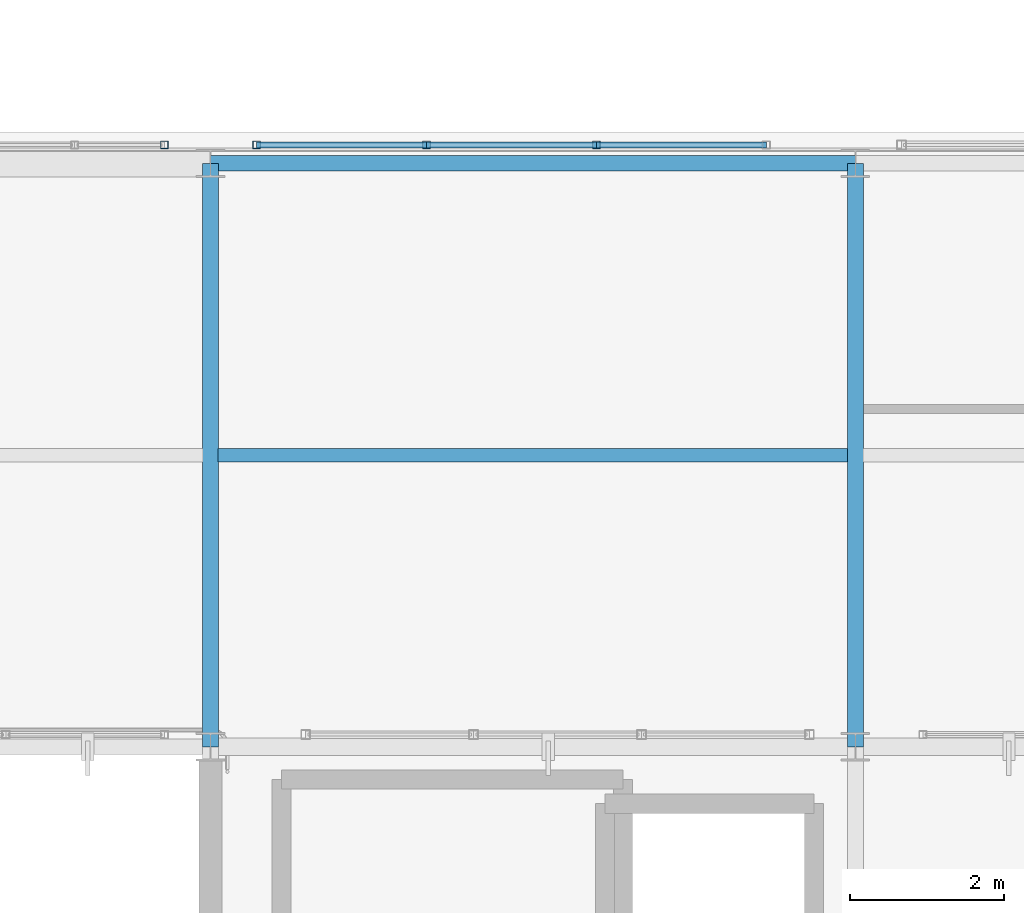
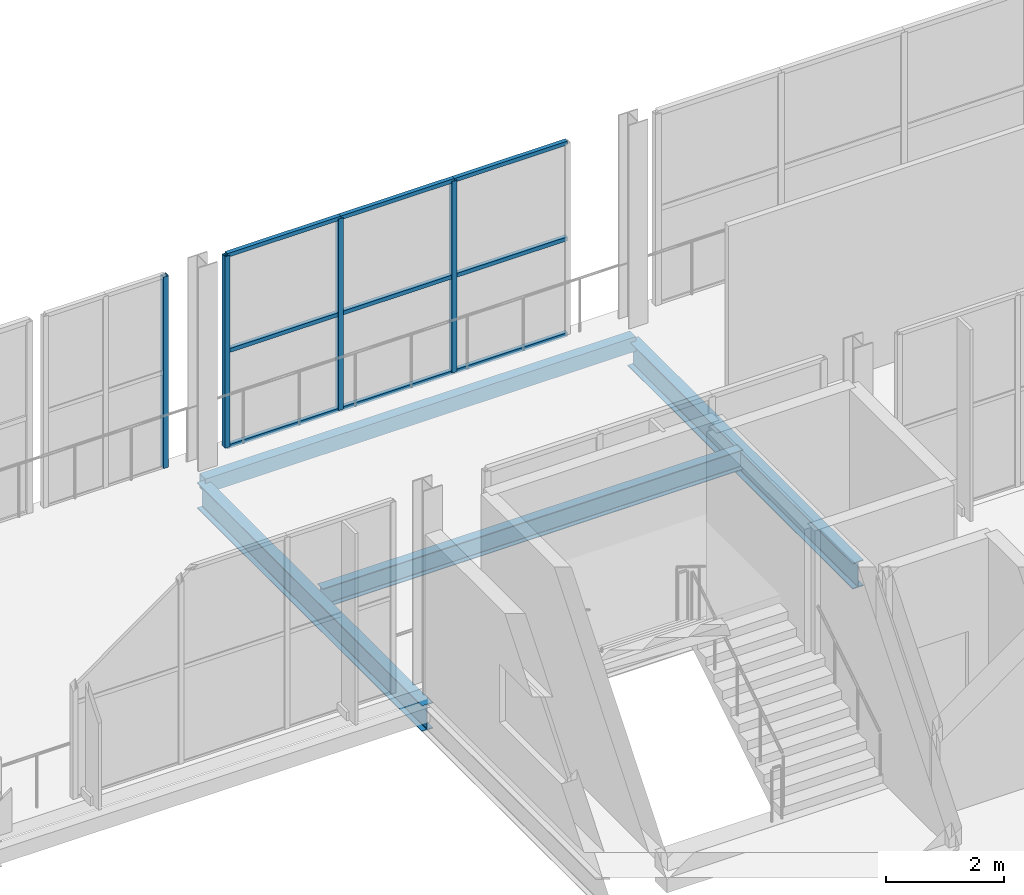
# One storey, part 30 of 217: 13 members, 4 beams, 2 elements without a shape of their own.
"""IFC4 building model written with IfcOpenShell, lengths in metres."""

from ifc_helpers import new_model, si_unit, direction, frame, origin, origin_2d, place, context, subcontext, project, spatial, hollow_rectangle, i_section, extrude, material, material_profile, profile_set, type_object, element, aggregate, save


model = new_model("IFC4")

# Units and contexts
model_context = context("Model", 3, precision=1e-05, world=origin(), true_north=direction((0.0, 1.0)))
body_context = subcontext(model_context, "Body", "Model", "MODEL_VIEW")
ifc_project = project(units=[si_unit("LENGTHUNIT", "METRE"), si_unit("AREAUNIT", "SQUARE_METRE"), si_unit("VOLUMEUNIT", "CUBIC_METRE"), si_unit("PLANEANGLEUNIT", "RADIAN"), si_unit("MASSUNIT", "GRAM", prefix="KILO")], contexts=[model_context])

# Site, building, storey
site_placement = place(None, origin())
site = spatial("IfcSite", under=ifc_project, at=site_placement, CompositionType="ELEMENT")
building_placement = place(site_placement, origin())
building = spatial("IfcBuilding", under=site, at=building_placement, Name="Zuvorla Pavilion Media Centre", CompositionType="ELEMENT")
storey_placement = place(building_placement, frame((0.0, 0.0, 9.60009765625)))
storey = spatial("IfcBuildingStorey", under=building, at=storey_placement, Name="L02", CompositionType="ELEMENT", Elevation=9.60009765625)

# Beams
ifc_material_1 = material(Name="Steel S355", Category="steel")
ifc_material_profile_1 = material_profile(ifc_material_1, hollow_rectangle(XDim=0.199951171875, YDim=0.300048828125, WallThickness=0.012451171875, at=origin_2d()), Name="RHS 300x200x12.5")
ifc_profile_set_1 = profile_set([ifc_material_profile_1], Name="Steel S355")
beam_type_1 = type_object("IfcBeamType", Name="BM-SP-RHS300", PredefinedType="SPANDREL", material=ifc_profile_set_1)
beam_1_placement = place(storey_placement, frame((41.60009765625, 51.60009765625, -0.418212890625), z_axis=(1.0, 0.0, 0.0), x_axis=(0.0, 1.0, 0.0)))
element("IfcBeam", 1, at=beam_1_placement, inside=storey, type_object=beam_type_1, Name="L02 spandrel SP01 838", PredefinedType="SPANDREL", context=body_context, shape_type="SweptSolid", body=[
    extrude(hollow_rectangle(XDim=0.199951171875, YDim=0.300048828125, WallThickness=0.012451171875, at=origin_2d()), origin(), (0.0, 0.0, 1.0), 8.39990234375),
])
ifc_material_profile_2 = material_profile(ifc_material_1, i_section(OverallWidth=0.1787109375, OverallDepth=0.409423828125, WebThickness=0.0087890625, FlangeThickness=0.014404296875, FilletRadius=0.01025390625, at=origin_2d()), Name="UB 406x178x67")
ifc_profile_set_2 = profile_set([ifc_material_profile_2], Name="Steel S355")
beam_type_2 = type_object("IfcBeamType", Name="BM-UB406", PredefinedType="JOIST", material=ifc_profile_set_2)
beam_2_placement = place(storey_placement, frame((41.699951171875, 47.800048828125, -0.472900390625), z_axis=(1.0, 0.0, 0.0), x_axis=(0.0, 1.0, 0.0)))
element("IfcBeam", 2, at=beam_2_placement, inside=storey, type_object=beam_type_2, Name="L02 joist J02 992", PredefinedType="JOIST", context=body_context, shape_type="SweptSolid", body=[
    extrude(i_section(OverallWidth=0.1787109375, OverallDepth=0.409423828125, WebThickness=0.0087890625, FlangeThickness=0.014404296875, FilletRadius=0.01025390625, at=origin_2d()), origin(), (0.0, 0.0, 1.0), 8.199951171875),
])
ifc_material_profile_3 = material_profile(ifc_material_1, i_section(OverallWidth=0.2099609375, OverallDepth=0.53662109375, WebThickness=0.0107421875, FlangeThickness=0.017333984375, FilletRadius=0.0126953125, at=origin_2d()), Name="UB 533x210x101")
ifc_profile_set_3 = profile_set([ifc_material_profile_3], Name="Steel S355")
beam_type_3 = type_object("IfcBeamType", Name="BM-UB533", PredefinedType="BEAM", material=ifc_profile_set_3)
for number, where, z_axis, x_axis, name in (
    (3, (41.60009765625, 44.0, -0.62646484375), (0.0, 1.0, 0.0), (-1.0, 0.0, 0.0), "L02 beam B08 908"),
    (4, (50.0, 44.0, -0.62646484375), (0.0, 1.0, 0.0), (-1.0, 0.0, 0.0), "L02 beam B08 914"),
):
    element("IfcBeam", number, at=place(storey_placement, frame(where, z_axis=z_axis, x_axis=x_axis)), inside=storey, type_object=beam_type_3, Name=name, PredefinedType="BEAM", context=body_context, shape_type="SweptSolid", body=[
        extrude(i_section(OverallWidth=0.2099609375, OverallDepth=0.53662109375, WebThickness=0.0107421875, FlangeThickness=0.017333984375, FilletRadius=0.0126953125, at=origin_2d()), origin(), (0.0, 0.0, 1.0), 7.60009765625),
    ])

# Curtain wall, member
ifc_material_2 = material(Name="Unitised anodised aluminium and solar glass curtain wall", Category="aluminium")
curtain_wall_type_1 = type_object("IfcCurtainWallType", Name="CW-SYS-31", PredefinedType="USERDEFINED", material=ifc_material_2)
curtain_wall_1_placement = place(storey_placement, origin())
curtain_wall_1 = element("IfcCurtainWall", 5, at=curtain_wall_1_placement, inside=storey, type_object=curtain_wall_type_1, Name="L02 curtain wall CW31 52", ObjectType="CURTAIN WALL", PredefinedType="USERDEFINED")
ifc_material_3 = material(Name="Anodised aluminium 6063-T6", Category="aluminium")
ifc_material_profile_4 = material_profile(ifc_material_3, hollow_rectangle(XDim=0.10009765625, YDim=0.10009765625, WallThickness=0.00439453125, at=origin_2d()), Name="ALU MULL 100x100")
ifc_profile_set_4 = profile_set([ifc_material_profile_4], Name="Anodised aluminium 6063-T6")
member_type_1 = type_object("IfcMemberType", Name="CW-MULL-100", PredefinedType="MULLION", material=ifc_profile_set_4)
member_1_placement = place(storey_placement, frame((40.999755859375, 51.840087890625, 0.0), z_axis=(0.0, 0.0, 1.0), x_axis=(1.0, 0.0, 0.0)))
member_1 = element("IfcMember", 6, at=member_1_placement, type_object=member_type_1, Name="CW31 mullion 3", PredefinedType="MULLION", context=body_context, shape_type="SweptSolid", body=[
    extrude(hollow_rectangle(XDim=0.10009765625, YDim=0.10009765625, WallThickness=0.00439453125, at=origin_2d()), origin(), (0.0, 0.0, 1.0), 3.949951171875),
])
aggregate(curtain_wall_1, [member_1])

# Curtain wall, members
curtain_wall_type_2 = type_object("IfcCurtainWallType", Name="CW-SYS-32", PredefinedType="USERDEFINED", material=ifc_material_2)
curtain_wall_2_placement = place(storey_placement, origin())
curtain_wall_2 = element("IfcCurtainWall", 7, at=curtain_wall_2_placement, inside=storey, type_object=curtain_wall_type_2, Name="L02 curtain wall CW32 53", ObjectType="CURTAIN WALL", PredefinedType="USERDEFINED")
member_2_placement = place(storey_placement, frame((42.2001953125, 51.840087890625, 0.0), z_axis=(0.0, 0.0, 1.0), x_axis=(1.0, 0.0, 0.0)))
member_2 = element("IfcMember", 8, at=member_2_placement, type_object=member_type_1, Name="CW32 mullion 1", PredefinedType="MULLION", context=body_context, shape_type="SweptSolid", body=[
    extrude(hollow_rectangle(XDim=0.10009765625, YDim=0.10009765625, WallThickness=0.00439453125, at=origin_2d()), origin(), (0.0, 0.0, 1.0), 3.949951171875),
])
member_3_placement = place(storey_placement, frame((44.41357421875, 51.840087890625, 0.0), z_axis=(0.0, 0.0, 1.0), x_axis=(1.0, 0.0, 0.0)))
member_3 = element("IfcMember", 9, at=member_3_placement, type_object=member_type_1, Name="CW32 mullion 2", PredefinedType="MULLION", context=body_context, shape_type="SweptSolid", body=[
    extrude(hollow_rectangle(XDim=0.10009765625, YDim=0.10009765625, WallThickness=0.00439453125, at=origin_2d()), origin(), (0.0, 0.0, 1.0), 3.949951171875),
])
member_4_placement = place(storey_placement, frame((46.626708984375, 51.840087890625, 0.0), z_axis=(0.0, 0.0, 1.0), x_axis=(1.0, 0.0, 0.0)))
member_4 = element("IfcMember", 10, at=member_4_placement, type_object=member_type_1, Name="CW32 mullion 3", PredefinedType="MULLION", context=body_context, shape_type="SweptSolid", body=[
    extrude(hollow_rectangle(XDim=0.10009765625, YDim=0.10009765625, WallThickness=0.00439453125, at=origin_2d()), origin(), (0.0, 0.0, 1.0), 3.949951171875),
])
ifc_material_profile_5 = material_profile(ifc_material_3, hollow_rectangle(XDim=0.080078125, YDim=0.080078125, WallThickness=0.00390625, at=origin_2d()), Name="ALU TRAN 80x80")
ifc_profile_set_5 = profile_set([ifc_material_profile_5], Name="Anodised aluminium 6063-T6")
member_type_2 = type_object("IfcMemberType", Name="CW-TRAN-80", PredefinedType="USERDEFINED", material=ifc_profile_set_5)
member_5_placement = place(storey_placement, frame((42.2001953125, 51.840087890625, 0.0), z_axis=(1.0, 0.0, 0.0), x_axis=(0.0, 1.0, 0.0)))
member_5 = element("IfcMember", 11, at=member_5_placement, type_object=member_type_2, Name="CW32 transom 1.1", ObjectType="TRANSOM", PredefinedType="USERDEFINED", context=body_context, shape_type="SweptSolid", body=[
    extrude(hollow_rectangle(XDim=0.080078125, YDim=0.080078125, WallThickness=0.00390625, at=origin_2d()), origin(), (0.0, 0.0, 1.0), 2.21337890625),
])
member_6_placement = place(storey_placement, frame((42.2001953125, 51.840087890625, 1.974853515625), z_axis=(1.0, 0.0, 0.0), x_axis=(0.0, 1.0, 0.0)))
member_6 = element("IfcMember", 12, at=member_6_placement, type_object=member_type_2, Name="CW32 transom 1.2", ObjectType="TRANSOM", PredefinedType="USERDEFINED", context=body_context, shape_type="SweptSolid", body=[
    extrude(hollow_rectangle(XDim=0.080078125, YDim=0.080078125, WallThickness=0.00390625, at=origin_2d()), origin(), (0.0, 0.0, 1.0), 2.21337890625),
])
member_7_placement = place(storey_placement, frame((42.2001953125, 51.840087890625, 3.949951171875), z_axis=(1.0, 0.0, 0.0), x_axis=(0.0, 1.0, 0.0)))
member_7 = element("IfcMember", 13, at=member_7_placement, type_object=member_type_2, Name="CW32 transom 1.3", ObjectType="TRANSOM", PredefinedType="USERDEFINED", context=body_context, shape_type="SweptSolid", body=[
    extrude(hollow_rectangle(XDim=0.080078125, YDim=0.080078125, WallThickness=0.00390625, at=origin_2d()), origin(), (0.0, 0.0, 1.0), 2.21337890625),
])
member_8_placement = place(storey_placement, frame((44.41357421875, 51.840087890625, 0.0), z_axis=(1.0, 0.0, 0.0), x_axis=(0.0, 1.0, 0.0)))
member_8 = element("IfcMember", 14, at=member_8_placement, type_object=member_type_2, Name="CW32 transom 2.1", ObjectType="TRANSOM", PredefinedType="USERDEFINED", context=body_context, shape_type="SweptSolid", body=[
    extrude(hollow_rectangle(XDim=0.080078125, YDim=0.080078125, WallThickness=0.00390625, at=origin_2d()), origin(), (0.0, 0.0, 1.0), 2.213134765625),
])
member_9_placement = place(storey_placement, frame((44.41357421875, 51.840087890625, 1.974853515625), z_axis=(1.0, 0.0, 0.0), x_axis=(0.0, 1.0, 0.0)))
member_9 = element("IfcMember", 15, at=member_9_placement, type_object=member_type_2, Name="CW32 transom 2.2", ObjectType="TRANSOM", PredefinedType="USERDEFINED", context=body_context, shape_type="SweptSolid", body=[
    extrude(hollow_rectangle(XDim=0.080078125, YDim=0.080078125, WallThickness=0.00390625, at=origin_2d()), origin(), (0.0, 0.0, 1.0), 2.213134765625),
])
member_10_placement = place(storey_placement, frame((44.41357421875, 51.840087890625, 3.949951171875), z_axis=(1.0, 0.0, 0.0), x_axis=(0.0, 1.0, 0.0)))
member_10 = element("IfcMember", 16, at=member_10_placement, type_object=member_type_2, Name="CW32 transom 2.3", ObjectType="TRANSOM", PredefinedType="USERDEFINED", context=body_context, shape_type="SweptSolid", body=[
    extrude(hollow_rectangle(XDim=0.080078125, YDim=0.080078125, WallThickness=0.00390625, at=origin_2d()), origin(), (0.0, 0.0, 1.0), 2.213134765625),
])
member_11_placement = place(storey_placement, frame((46.626708984375, 51.840087890625, 0.0), z_axis=(1.0, 0.0, 0.0), x_axis=(0.0, 1.0, 0.0)))
member_11 = element("IfcMember", 17, at=member_11_placement, type_object=member_type_2, Name="CW32 transom 3.1", ObjectType="TRANSOM", PredefinedType="USERDEFINED", context=body_context, shape_type="SweptSolid", body=[
    extrude(hollow_rectangle(XDim=0.080078125, YDim=0.080078125, WallThickness=0.00390625, at=origin_2d()), origin(), (0.0, 0.0, 1.0), 2.21337890625),
])
member_12_placement = place(storey_placement, frame((46.626708984375, 51.840087890625, 1.974853515625), z_axis=(1.0, 0.0, 0.0), x_axis=(0.0, 1.0, 0.0)))
member_12 = element("IfcMember", 18, at=member_12_placement, type_object=member_type_2, Name="CW32 transom 3.2", ObjectType="TRANSOM", PredefinedType="USERDEFINED", context=body_context, shape_type="SweptSolid", body=[
    extrude(hollow_rectangle(XDim=0.080078125, YDim=0.080078125, WallThickness=0.00390625, at=origin_2d()), origin(), (0.0, 0.0, 1.0), 2.21337890625),
])
member_13_placement = place(storey_placement, frame((46.626708984375, 51.840087890625, 3.949951171875), z_axis=(1.0, 0.0, 0.0), x_axis=(0.0, 1.0, 0.0)))
member_13 = element("IfcMember", 19, at=member_13_placement, type_object=member_type_2, Name="CW32 transom 3.3", ObjectType="TRANSOM", PredefinedType="USERDEFINED", context=body_context, shape_type="SweptSolid", body=[
    extrude(hollow_rectangle(XDim=0.080078125, YDim=0.080078125, WallThickness=0.00390625, at=origin_2d()), origin(), (0.0, 0.0, 1.0), 2.21337890625),
])
aggregate(curtain_wall_2, [member_2, member_3, member_4, member_5, member_6, member_7, member_8, member_9, member_10, member_11, member_12, member_13])

save(model, "model.ifc")
